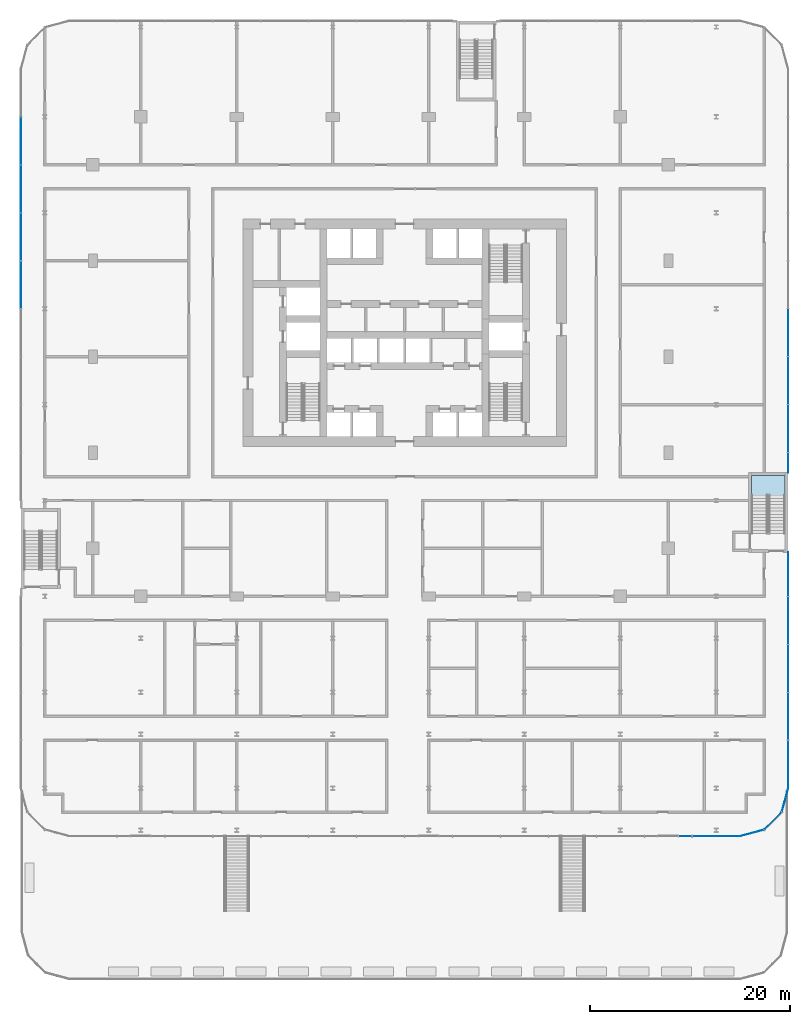
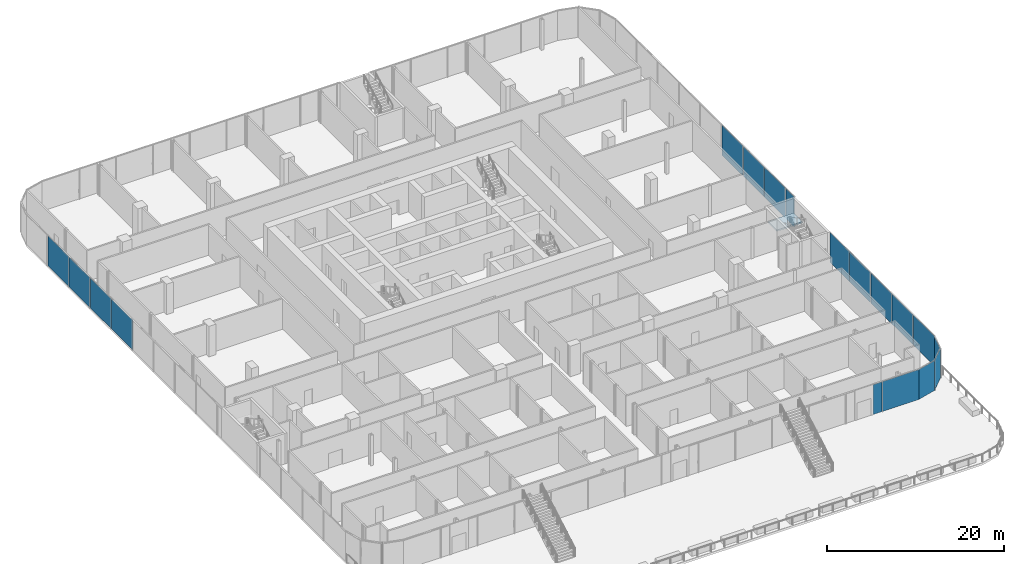
# One storey, part 25 of 43: 18 plates, 1 slab, 5 elements without a shape of their own.
"""IFC4 building model written with IfcOpenShell, lengths in metres."""

from ifc_helpers import new_model, si_unit, direction, frame, origin, origin_2d, place, context, subcontext, project, spatial, polyline, rectangle, outline, extrude, material, layer, layer_set, type_object, element, aggregate, save


model = new_model("IFC4")

# Units and contexts
model_context = context("Model", 3, precision=1e-05, world=origin(), true_north=direction((0.0, 1.0)))
body_context = subcontext(model_context, "Body", "Model", "MODEL_VIEW")
ifc_project = project(units=[si_unit("LENGTHUNIT", "METRE"), si_unit("AREAUNIT", "SQUARE_METRE"), si_unit("VOLUMEUNIT", "CUBIC_METRE"), si_unit("PLANEANGLEUNIT", "RADIAN"), si_unit("MASSUNIT", "GRAM", prefix="KILO")], contexts=[model_context])

# Site, building, storey
site_placement = place(None, origin())
site = spatial("IfcSite", under=ifc_project, at=site_placement, CompositionType="ELEMENT")
building_placement = place(site_placement, origin())
building = spatial("IfcBuilding", under=site, at=building_placement, Name="Madar Terraces", CompositionType="ELEMENT")
storey_placement = place(building_placement, frame((0.0, 0.0, 10.5)))
storey = spatial("IfcBuildingStorey", under=building, at=storey_placement, Name="L02", CompositionType="ELEMENT", Elevation=10.5)

# Curtain wall, plates
ifc_material_1 = material(Name="Glass, clear low-iron, with black aluminium frame", Category="aluminium")
ifc_layer_1 = layer(ifc_material_1, 0.199951171875)
ifc_layer_set_1 = layer_set([ifc_layer_1], Name="Facade curtain wall, shopfront glazing")
curtain_wall_type = type_object("IfcCurtainWallType", Name="Facade curtain wall, shopfront glazing", PredefinedType="NOTDEFINED", material=ifc_layer_set_1)
curtain_wall_1_placement = place(storey_placement, origin())
curtain_wall_1 = element("IfcCurtainWall", 1, at=curtain_wall_1_placement, inside=storey, type_object=curtain_wall_type, Name="Outer skin curtain wall south bay 1", PredefinedType="NOTDEFINED")
ifc_material_2 = material(Name="Glass, ceramic frit dark grey", Category="glass")
ifc_layer_2 = layer(ifc_material_2, 0.028076171875)
ifc_layer_set_2 = layer_set([ifc_layer_2], Name="Facade glass panel 28")
plate_type = type_object("IfcPlateType", Name="Facade glass panel 28", PredefinedType="CURTAIN_PANEL", material=ifc_layer_set_2)
plate_1_placement = place(storey_placement, frame((59.385009765625, -24.0, 0.0), z_axis=(0.0, 0.0, 1.0), x_axis=(1.0, 0.0, 0.0)))
plate_1 = element("IfcPlate", 2, at=plate_1_placement, type_object=plate_type, Name="Panel 16", PredefinedType="CURTAIN_PANEL", context=body_context, shape_type="SweptSolid", body=[
    extrude(rectangle(XDim=1.169921875, YDim=0.028076171875, at=origin_2d()), origin(), (0.0, 0.0, 1.0), 4.139892578125),
])
plate_2_placement = place(storey_placement, frame((62.4150390625, -24.0, 0.0), z_axis=(0.0, 0.0, 1.0), x_axis=(1.0, 0.0, 0.0)))
plate_2 = element("IfcPlate", 3, at=plate_2_placement, type_object=plate_type, Name="Panel 17", PredefinedType="CURTAIN_PANEL", context=body_context, shape_type="SweptSolid", body=[
    extrude(rectangle(XDim=4.77001953125, YDim=0.028076171875, at=origin_2d()), origin(), (0.0, 0.0, 1.0), 4.139892578125),
])
aggregate(curtain_wall_1, [plate_1, plate_2])

curtain_wall_2_placement = place(storey_placement, origin())
curtain_wall_2 = element("IfcCurtainWall", 4, at=curtain_wall_2_placement, inside=storey, type_object=curtain_wall_type, Name="Outer skin curtain wall east bay 1", PredefinedType="NOTDEFINED")
plate_3_placement = place(storey_placement, frame((69.60009765625, -16.81494140625, 0.0), z_axis=(0.0, 0.0, 1.0), x_axis=(0.0, 1.0, 0.0)))
plate_3 = element("IfcPlate", 5, at=plate_3_placement, type_object=plate_type, Name="Panel 1", PredefinedType="CURTAIN_PANEL", context=body_context, shape_type="SweptSolid", body=[
    extrude(rectangle(XDim=4.77001953125, YDim=0.028076171875, at=origin_2d()), origin(), (0.0, 0.0, 1.0), 4.139892578125),
])
plate_4_placement = place(storey_placement, frame((69.60009765625, -12.0, 0.0), z_axis=(0.0, 0.0, 1.0), x_axis=(0.0, 1.0, 0.0)))
plate_4 = element("IfcPlate", 6, at=plate_4_placement, type_object=plate_type, Name="Panel 2", PredefinedType="CURTAIN_PANEL", context=body_context, shape_type="SweptSolid", body=[
    extrude(rectangle(XDim=4.739990234375, YDim=0.028076171875, at=origin_2d()), origin(), (0.0, 0.0, 1.0), 4.139892578125),
])
plate_5_placement = place(storey_placement, frame((69.60009765625, -7.199951171875, 0.0), z_axis=(0.0, 0.0, 1.0), x_axis=(0.0, 1.0, 0.0)))
plate_5 = element("IfcPlate", 7, at=plate_5_placement, type_object=plate_type, Name="Panel 3", PredefinedType="CURTAIN_PANEL", context=body_context, shape_type="SweptSolid", body=[
    extrude(rectangle(XDim=4.739990234375, YDim=0.028076171875, at=origin_2d()), origin(), (0.0, 0.0, 1.0), 4.139892578125),
])
plate_6_placement = place(storey_placement, frame((69.60009765625, -2.39990234375, 0.0), z_axis=(0.0, 0.0, 1.0), x_axis=(0.0, 1.0, 0.0)))
plate_6 = element("IfcPlate", 8, at=plate_6_placement, type_object=plate_type, Name="Panel 4", PredefinedType="CURTAIN_PANEL", context=body_context, shape_type="SweptSolid", body=[
    extrude(rectangle(XDim=4.739990234375, YDim=0.028076171875, at=origin_2d()), origin(), (0.0, 0.0, 1.0), 4.139892578125),
])
plate_7_placement = place(storey_placement, frame((69.60009765625, 2.215087890625, 0.0), z_axis=(0.0, 0.0, 1.0), x_axis=(0.0, 1.0, 0.0)))
plate_7 = element("IfcPlate", 9, at=plate_7_placement, type_object=plate_type, Name="Panel 5", PredefinedType="CURTAIN_PANEL", context=body_context, shape_type="SweptSolid", body=[
    extrude(rectangle(XDim=4.3701171875, YDim=0.028076171875, at=origin_2d()), origin(), (0.0, 0.0, 1.0), 4.139892578125),
])
plate_8_placement = place(storey_placement, frame((69.60009765625, 13.385009765625, 0.0), z_axis=(0.0, 0.0, 1.0), x_axis=(0.0, 1.0, 0.0)))
plate_8 = element("IfcPlate", 10, at=plate_8_placement, type_object=plate_type, Name="Panel 6", PredefinedType="CURTAIN_PANEL", context=body_context, shape_type="SweptSolid", body=[
    extrude(rectangle(XDim=1.969970703125, YDim=0.028076171875, at=origin_2d()), origin(), (0.0, 0.0, 1.0), 4.139892578125),
])
plate_9_placement = place(storey_placement, frame((69.60009765625, 16.800048828125, 0.0), z_axis=(0.0, 0.0, 1.0), x_axis=(0.0, 1.0, 0.0)))
plate_9 = element("IfcPlate", 11, at=plate_9_placement, type_object=plate_type, Name="Panel 7", PredefinedType="CURTAIN_PANEL", context=body_context, shape_type="SweptSolid", body=[
    extrude(rectangle(XDim=4.739990234375, YDim=0.028076171875, at=origin_2d()), origin(), (0.0, 0.0, 1.0), 4.139892578125),
])
plate_10_placement = place(storey_placement, frame((69.60009765625, 21.60009765625, 0.0), z_axis=(0.0, 0.0, 1.0), x_axis=(0.0, 1.0, 0.0)))
plate_10 = element("IfcPlate", 12, at=plate_10_placement, type_object=plate_type, Name="Panel 8", PredefinedType="CURTAIN_PANEL", context=body_context, shape_type="SweptSolid", body=[
    extrude(rectangle(XDim=4.739990234375, YDim=0.028076171875, at=origin_2d()), origin(), (0.0, 0.0, 1.0), 4.139892578125),
])
plate_11_placement = place(storey_placement, frame((69.60009765625, 26.39990234375, 0.0), z_axis=(0.0, 0.0, 1.0), x_axis=(0.0, 1.0, 0.0)))
plate_11 = element("IfcPlate", 13, at=plate_11_placement, type_object=plate_type, Name="Panel 9", PredefinedType="CURTAIN_PANEL", context=body_context, shape_type="SweptSolid", body=[
    extrude(rectangle(XDim=4.739990234375, YDim=0.028076171875, at=origin_2d()), origin(), (0.0, 0.0, 1.0), 4.139892578125),
])
aggregate(curtain_wall_2, [plate_3, plate_4, plate_5, plate_6, plate_7, plate_8, plate_9, plate_10, plate_11])

curtain_wall_3_placement = place(storey_placement, origin())
curtain_wall_3 = element("IfcCurtainWall", 14, at=curtain_wall_3_placement, inside=storey, type_object=curtain_wall_type, Name="Outer skin curtain wall west bay 1", PredefinedType="NOTDEFINED")
plate_12_placement = place(storey_placement, frame((-7.199951171875, 45.60009765625, 0.0), z_axis=(0.0, 0.0, 1.0), x_axis=(0.0, -1.0, 0.0)))
plate_12 = element("IfcPlate", 15, at=plate_12_placement, type_object=plate_type, Name="Panel 2", PredefinedType="CURTAIN_PANEL", context=body_context, shape_type="SweptSolid", body=[
    extrude(rectangle(XDim=4.739990234375, YDim=0.028076171875, at=origin_2d()), origin(), (0.0, 0.0, 1.0), 4.139892578125),
])
plate_13_placement = place(storey_placement, frame((-7.199951171875, 40.800048828125, 0.0), z_axis=(0.0, 0.0, 1.0), x_axis=(0.0, -1.0, 0.0)))
plate_13 = element("IfcPlate", 16, at=plate_13_placement, type_object=plate_type, Name="Panel 3", PredefinedType="CURTAIN_PANEL", context=body_context, shape_type="SweptSolid", body=[
    extrude(rectangle(XDim=4.739990234375, YDim=0.028076171875, at=origin_2d()), origin(), (0.0, 0.0, 1.0), 4.139892578125),
])
plate_14_placement = place(storey_placement, frame((-7.199951171875, 36.0, 0.0), z_axis=(0.0, 0.0, 1.0), x_axis=(0.0, -1.0, 0.0)))
plate_14 = element("IfcPlate", 17, at=plate_14_placement, type_object=plate_type, Name="Panel 4", PredefinedType="CURTAIN_PANEL", context=body_context, shape_type="SweptSolid", body=[
    extrude(rectangle(XDim=4.739990234375, YDim=0.028076171875, at=origin_2d()), origin(), (0.0, 0.0, 1.0), 4.139892578125),
])
plate_15_placement = place(storey_placement, frame((-7.199951171875, 31.199951171875, 0.0), z_axis=(0.0, 0.0, 1.0), x_axis=(0.0, -1.0, 0.0)))
plate_15 = element("IfcPlate", 18, at=plate_15_placement, type_object=plate_type, Name="Panel 5", PredefinedType="CURTAIN_PANEL", context=body_context, shape_type="SweptSolid", body=[
    extrude(rectangle(XDim=4.739990234375, YDim=0.028076171875, at=origin_2d()), origin(), (0.0, 0.0, 1.0), 4.139892578125),
])
aggregate(curtain_wall_3, [plate_12, plate_13, plate_14, plate_15])

curtain_wall_4_placement = place(storey_placement, origin())
curtain_wall_4 = element("IfcCurtainWall", 19, at=curtain_wall_4_placement, inside=storey, type_object=curtain_wall_type, Name="Outer skin curtain wall south-east corner", PredefinedType="NOTDEFINED")
plate_16_placement = place(storey_placement, frame((65.985595703125, -23.682373046875, 0.0), z_axis=(0.0, 0.0, 1.0), x_axis=(0.965925832509, 0.258819021888, 0.0)))
plate_16 = element("IfcPlate", 20, at=plate_16_placement, type_object=plate_type, Name="Panel 1", PredefinedType="CURTAIN_PANEL", context=body_context, shape_type="SweptSolid", body=[
    extrude(rectangle(XDim=2.45458984375, YDim=0.028076171875, at=origin_2d()), origin(), (0.0, 0.0, 1.0), 4.139892578125),
])
plate_17_placement = place(storey_placement, frame((68.078369140625, -22.478515625, 0.0), z_axis=(0.0, 0.0, 1.0), x_axis=(0.707106781187, 0.707106781187, 0.0)))
plate_17 = element("IfcPlate", 21, at=plate_17_placement, type_object=plate_type, Name="Panel 2", PredefinedType="CURTAIN_PANEL", context=body_context, shape_type="SweptSolid", body=[
    extrude(rectangle(XDim=2.424560546875, YDim=0.028076171875, at=origin_2d()), origin(), (0.0, 0.0, 1.0), 4.139892578125),
])
plate_18_placement = place(storey_placement, frame((69.2822265625, -20.385498046875, 0.0), z_axis=(0.0, 0.0, 1.0), x_axis=(0.258819021888, 0.965925832509, 0.0)))
plate_18 = element("IfcPlate", 22, at=plate_18_placement, type_object=plate_type, Name="Panel 3", PredefinedType="CURTAIN_PANEL", context=body_context, shape_type="SweptSolid", body=[
    extrude(rectangle(XDim=2.45458984375, YDim=0.028076171875, at=origin_2d()), origin(), (0.0, 0.0, 1.0), 4.139892578125),
])
aggregate(curtain_wall_4, [plate_16, plate_17, plate_18])

# Stair, slab
ifc_material_3 = material(Name="Concrete C50/60", Category="concrete")
stair_type = type_object("IfcStairType", Name="Stair PS3 protected exit", PredefinedType="HALF_TURN_STAIR", material=ifc_material_3)
stair_placement = place(storey_placement, origin())
stair = element("IfcStair", 23, at=stair_placement, inside=storey, type_object=stair_type, Name="L02 Protected Exit Stair PS3", PredefinedType="HALF_TURN_STAIR")
ifc_material_4 = material(Name="Concrete C50/60", Category="concrete")
ifc_layer_3 = layer(ifc_material_4, 0.199951171875)
ifc_layer_set_3 = layer_set([ifc_layer_3], Name="Stair landing 200, top +2.25")
slab_type = type_object("IfcSlabType", Name="Stair landing 200, top +2.25", PredefinedType="LANDING", material=ifc_layer_set_3)
slab_placement = place(storey_placement, frame((0.0, 0.0, 2.050048828125)))
slab = element("IfcSlab", 24, at=slab_placement, type_object=slab_type, Name="PS3 landing 1", PredefinedType="LANDING", context=body_context, shape_type="SweptSolid", body=[
    extrude(outline(polyline([(65.949951171875, 10.110107421875), (69.300048828125, 10.110107421875), (69.300048828125, 12.10009765625), (65.949951171875, 12.10009765625), (65.949951171875, 10.110107421875)])), origin(), (0.0, 0.0, 1.0), 0.199951171875),
])
aggregate(stair, [slab])

save(model, "model.ifc")
